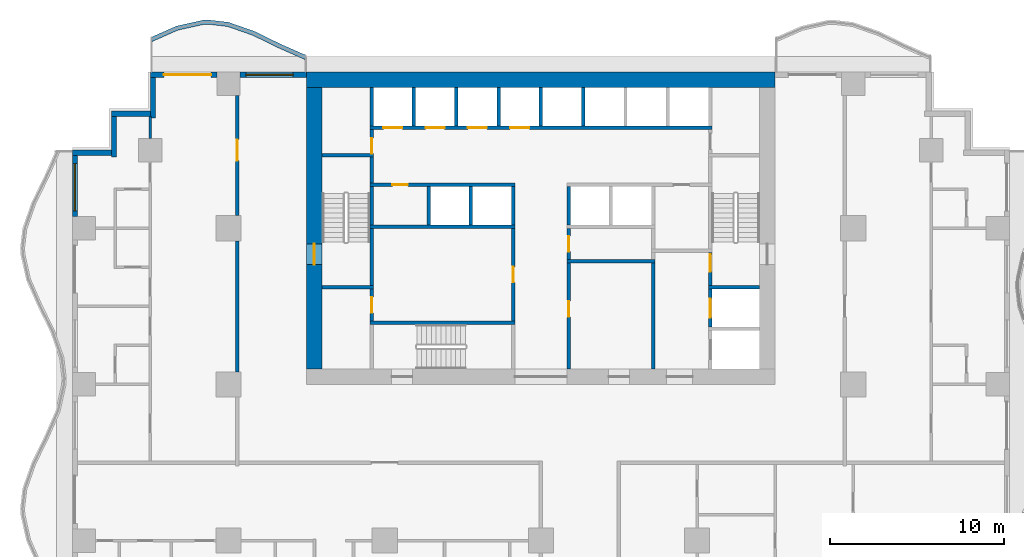
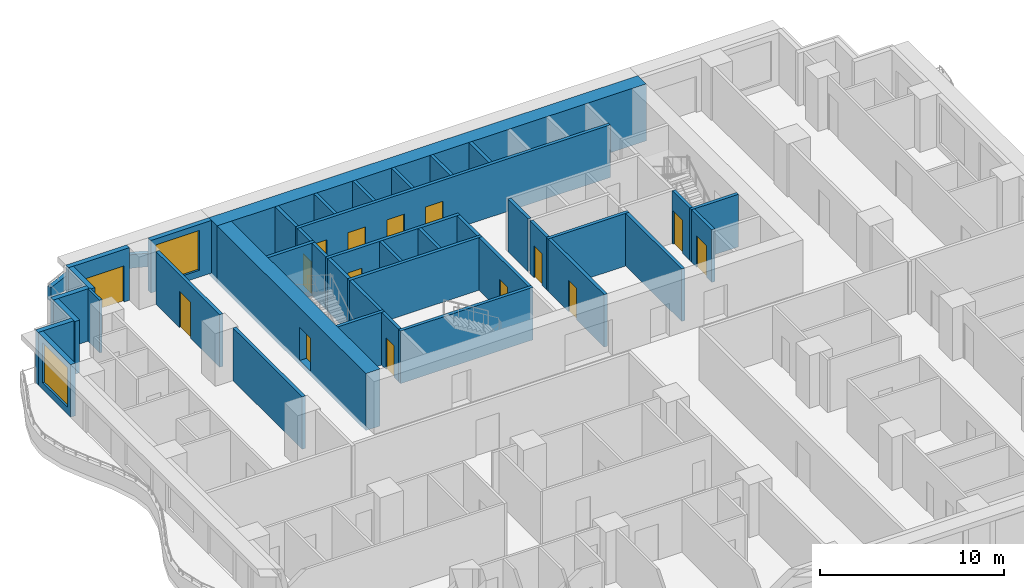
# One storey, part 5 of 14: 42 walls, 15 doors, 2 windows, 17 openings.
"""IFC4 building model written with IfcOpenShell, lengths in metres."""

from ifc_helpers import new_model, si_unit, direction, frame, frame_2d, origin, place, context, subcontext, project, spatial, polyline, rectangle, outline, extrude, material, layer, layer_set, type_object, element, fill, save


model = new_model("IFC4")

# Units and contexts
model_context = context("Model", 3, precision=1e-05, world=origin(), true_north=direction((0.0, 1.0)))
body_context = subcontext(model_context, "Body", "Model", "MODEL_VIEW")
ifc_project = project(units=[si_unit("LENGTHUNIT", "METRE"), si_unit("AREAUNIT", "SQUARE_METRE"), si_unit("VOLUMEUNIT", "CUBIC_METRE"), si_unit("PLANEANGLEUNIT", "RADIAN"), si_unit("MASSUNIT", "GRAM", prefix="KILO")], contexts=[model_context])

# Site, building, storey
site_placement = place(None, origin())
site = spatial("IfcSite", under=ifc_project, at=site_placement, CompositionType="ELEMENT")
building_placement = place(site_placement, origin())
building = spatial("IfcBuilding", under=site, at=building_placement, Name="Orbiselva Terraces", CompositionType="ELEMENT")
storey_placement = place(building_placement, frame((0.0, 0.0, 73.2)))
storey = spatial("IfcBuildingStorey", under=building, at=storey_placement, Name="L18", CompositionType="ELEMENT", Elevation=73.2)

# Wall, opening, door
ifc_material_1 = material(Name="Concrete C80/95", Category="concrete")
ifc_layer_1 = layer(ifc_material_1, 0.9)
ifc_layer_set_1 = layer_set([ifc_layer_1], Name="Concrete C80/95")
wall_type_1 = type_object("IfcWallType", Name="CORE WALL 900", PredefinedType="SHEAR", material=ifc_layer_set_1)
wall_1_placement = place(storey_placement, frame((-13.05, 21.6, -0.3), z_axis=(0.0, 0.0, 1.0), x_axis=(0.0, -1.0, 0.0)))
wall_1 = element("IfcWall", 1, at=wall_1_placement, inside=storey, type_object=wall_type_1, Name="Core wall L18 west", PredefinedType="SHEAR", context=body_context, shape_type="SweptSolid", body=[
    extrude(rectangle(XDim=16.2, YDim=0.9, at=frame_2d((8.1, 0.0))), origin(), (0.0, 0.0, 1.0), 3.8),
])
opening_1_placement = place(wall_1_placement, frame((9.0, 0.0, 0.3)))
opening_1 = element("IfcOpeningElement", 2, at=opening_1_placement, cuts=wall_1, Name="Opening DS1200", PredefinedType="OPENING", context=body_context, shape_type="SweptSolid", body=[
    extrude(rectangle(XDim=1.2, YDim=2.2, at=frame_2d((0.6, 1.1))), frame((0.0, 0.46, 0.0), z_axis=(0.0, -1.0, 0.0), x_axis=(1.0, 0.0, 0.0)), (0.0, 0.0, 1.0), 0.92),
])
ifc_material_2 = material(Name="Steel fire door", Category="steel")
door_type_1 = type_object("IfcDoorType", Name="STAIR DOOR 1200", OperationType="NOTDEFINED", PredefinedType="DOOR", material=ifc_material_2)
door_1_placement = place(opening_1_placement, frame((1.2, 0.0, 0.0), z_axis=(0.0, 0.0, 1.0), x_axis=(-1.0, 0.0, 0.0)))
door_1 = element("IfcDoor", 3, at=door_1_placement, inside=storey, type_object=door_type_1, Name="L18 EXIT STAIR S1 door", OperationType="SINGLE_SWING_RIGHT", OverallHeight=2.2, OverallWidth=1.2, PredefinedType="DOOR", context=body_context, shape_type="SweptSolid", body=[
    extrude(rectangle(XDim=1.2, YDim=2.2, at=frame_2d((0.6, 1.1))), frame((0.0, 0.025, 0.0), z_axis=(0.0, -1.0, 0.0), x_axis=(1.0, 0.0, 0.0)), (0.0, 0.0, 1.0), 0.05),
])
fill(opening_1, door_1)

# Wall
ifc_layer_2 = layer(ifc_material_1, 0.9)
ifc_layer_set_2 = layer_set([ifc_layer_2], Name="Concrete C80/95")
wall_type_2 = type_object("IfcWallType", Name="CORE WALL 900 EXTERNAL", PredefinedType="SHEAR", material=ifc_layer_set_2)
wall_2_placement = place(storey_placement, frame((13.5, 22.05, -0.3), z_axis=(0.0, 0.0, 1.0), x_axis=(-1.0, 0.0, 0.0)))
element("IfcWall", 4, at=wall_2_placement, inside=storey, type_object=wall_type_2, Name="Core wall L18 north", PredefinedType="SHEAR", context=body_context, shape_type="SweptSolid", body=[
    extrude(rectangle(XDim=27.0, YDim=0.9, at=frame_2d((13.5, 0.0))), origin(), (0.0, 0.0, 1.0), 3.8),
])

# Wall, opening, door
ifc_material_3 = material(Name="Masonry blockwork", Category="masonry")
ifc_layer_3 = layer(ifc_material_3, 0.2)
ifc_layer_set_3 = layer_set([ifc_layer_3], Name="Masonry blockwork")
wall_type_3 = type_object("IfcWallType", Name="CORE-WALL-PARTITION-200", PredefinedType="PARTITIONING", material=ifc_layer_set_3)
wall_3_placement = place(storey_placement, frame((-9.75, 8.15, 0.0), z_axis=(0.0, 0.0, 1.0), x_axis=(0.0, 1.0, 0.0)))
wall_3 = element("IfcWall", 5, at=wall_3_placement, inside=storey, type_object=wall_type_3, Name="L18 core wall 05", PredefinedType="PARTITIONING", context=body_context, shape_type="SweptSolid", body=[
    extrude(rectangle(XDim=1.85, YDim=0.2, at=frame_2d((0.925, 0.0))), origin(), (0.0, 0.0, 1.0), 3.5),
])
opening_2_placement = place(wall_3_placement, frame((0.475, 0.0, 0.0)))
opening_2 = element("IfcOpeningElement", 6, at=opening_2_placement, cuts=wall_3, Name="Opening DR900", PredefinedType="OPENING", context=body_context, shape_type="SweptSolid", body=[
    extrude(rectangle(XDim=0.9, YDim=2.1, at=frame_2d((0.45, 1.05))), frame((0.0, 0.11, 0.0), z_axis=(0.0, -1.0, 0.0), x_axis=(1.0, 0.0, 0.0)), (0.0, 0.0, 1.0), 0.22),
])
door_type_2 = type_object("IfcDoorType", Name="ROOM DOOR 900", OperationType="NOTDEFINED", PredefinedType="DOOR", material=ifc_material_2)
door_2_placement = place(opening_2_placement, origin())
door_2 = element("IfcDoor", 7, at=door_2_placement, inside=storey, type_object=door_type_2, Name="L18 ACCESSIBLE WC door", OperationType="SINGLE_SWING_RIGHT", OverallHeight=2.1, OverallWidth=0.9, PredefinedType="DOOR", context=body_context, shape_type="SweptSolid", body=[
    extrude(rectangle(XDim=0.9, YDim=2.1, at=frame_2d((0.45, 1.05))), frame((0.0, 0.025, 0.0), z_axis=(0.0, -1.0, 0.0), x_axis=(1.0, 0.0, 0.0)), (0.0, 0.0, 1.0), 0.05),
])
fill(opening_2, door_2)

wall_4_placement = place(storey_placement, frame((-9.75, 17.8, 0.0), z_axis=(0.0, 0.0, 1.0), x_axis=(0.0, 1.0, 0.0)))
wall_4 = element("IfcWall", 8, at=wall_4_placement, inside=storey, type_object=wall_type_3, Name="L18 core wall 11", PredefinedType="PARTITIONING", context=body_context, shape_type="SweptSolid", body=[
    extrude(rectangle(XDim=1.4, YDim=0.2, at=frame_2d((0.7, 0.0))), origin(), (0.0, 0.0, 1.0), 3.5),
])
opening_3_placement = place(wall_4_placement, origin())
opening_3 = element("IfcOpeningElement", 9, at=opening_3_placement, cuts=wall_4, Name="Opening DR900", PredefinedType="OPENING", context=body_context, shape_type="SweptSolid", body=[
    extrude(rectangle(XDim=0.9, YDim=2.1, at=frame_2d((0.45, 1.05))), frame((0.0, 0.11, 0.0), z_axis=(0.0, -1.0, 0.0), x_axis=(1.0, 0.0, 0.0)), (0.0, 0.0, 1.0), 0.22),
])
door_3_placement = place(opening_3_placement, origin())
door_3 = element("IfcDoor", 10, at=door_3_placement, inside=storey, type_object=door_type_2, Name="L18 COMMS RISER ROOM door", OperationType="SINGLE_SWING_LEFT", OverallHeight=2.1, OverallWidth=0.9, PredefinedType="DOOR", context=body_context, shape_type="SweptSolid", body=[
    extrude(rectangle(XDim=0.9, YDim=2.1, at=frame_2d((0.45, 1.05))), frame((0.0, 0.025, 0.0), z_axis=(0.0, -1.0, 0.0), x_axis=(1.0, 0.0, 0.0)), (0.0, 0.0, 1.0), 0.05),
])
fill(opening_3, door_3)

wall_5_placement = place(storey_placement, frame((1.6, 13.5, 0.0), z_axis=(0.0, 0.0, 1.0), x_axis=(0.0, -1.0, 0.0)))
wall_5 = element("IfcWall", 11, at=wall_5_placement, inside=storey, type_object=wall_type_3, Name="L18 core wall 25", PredefinedType="PARTITIONING", context=body_context, shape_type="SweptSolid", body=[
    extrude(rectangle(XDim=1.8, YDim=0.2, at=frame_2d((0.9, 0.0))), origin(), (0.0, 0.0, 1.0), 3.5),
])
opening_4_placement = place(wall_5_placement, frame((0.45, 0.0, 0.0)))
opening_4 = element("IfcOpeningElement", 12, at=opening_4_placement, cuts=wall_5, Name="Opening DR900", PredefinedType="OPENING", context=body_context, shape_type="SweptSolid", body=[
    extrude(rectangle(XDim=0.9, YDim=2.1, at=frame_2d((0.45, 1.05))), frame((0.0, 0.11, 0.0), z_axis=(0.0, -1.0, 0.0), x_axis=(1.0, 0.0, 0.0)), (0.0, 0.0, 1.0), 0.22),
])
door_4_placement = place(opening_4_placement, origin())
door_4 = element("IfcDoor", 13, at=door_4_placement, inside=storey, type_object=door_type_2, Name="L18 IT ROOM door", OperationType="SINGLE_SWING_LEFT", OverallHeight=2.1, OverallWidth=0.9, PredefinedType="DOOR", context=body_context, shape_type="SweptSolid", body=[
    extrude(rectangle(XDim=0.9, YDim=2.1, at=frame_2d((0.45, 1.05))), frame((0.0, 0.025, 0.0), z_axis=(0.0, -1.0, 0.0), x_axis=(1.0, 0.0, 0.0)), (0.0, 0.0, 1.0), 0.05),
])
fill(opening_4, door_4)

# Walls
ifc_material_4 = material(Name="Concrete C40/50", Category="concrete")
ifc_layer_4 = layer(ifc_material_4, 0.2)
ifc_layer_set_4 = layer_set([ifc_layer_4], Name="Concrete C40/50")
wall_type_4 = type_object("IfcWallType", Name="CORE-WALL-SHAFT-200", PredefinedType="PARTITIONING", material=ifc_layer_set_4)
for number, where, z_axis, x_axis, name in (
    (14, (-9.75, 19.4, 0.0), (0.0, 0.0, 1.0), (0.0, 1.0, 0.0), "L18 core wall 13"),
    (15, (-7.3125, 19.4, 0.0), (0.0, 0.0, 1.0), (0.0, 1.0, 0.0), "L18 core wall 14"),
    (16, (-6.475, 13.7, 0.0), (0.0, 0.0, 1.0), (0.0, 1.0, 0.0), "L18 core wall 15"),
    (17, (-4.875, 19.4, 0.0), (0.0, 0.0, 1.0), (0.0, 1.0, 0.0), "L18 core wall 16"),
    (18, (-4.0375, 13.7, 0.0), (0.0, 0.0, 1.0), (0.0, 1.0, 0.0), "L18 core wall 17"),
    (19, (-2.4375, 19.4, 0.0), (0.0, 0.0, 1.0), (0.0, 1.0, 0.0), "L18 core wall 18"),
    (20, (-1.6, 13.7, 0.0), (0.0, 0.0, 1.0), (0.0, 1.0, 0.0), "L18 core wall 21"),
    (21, (0.0, 19.4, 0.0), (0.0, 0.0, 1.0), (0.0, 1.0, 0.0), "L18 core wall 22"),
    (22, (1.6, 13.7, 0.0), (0.0, 0.0, 1.0), (0.0, 1.0, 0.0), "L18 core wall 27"),
    (23, (2.4375, 19.4, 0.0), (0.0, 0.0, 1.0), (0.0, 1.0, 0.0), "L18 core wall 29"),
):
    element("IfcWall", number, at=place(storey_placement, frame(where, z_axis=z_axis, x_axis=x_axis)), inside=storey, type_object=wall_type_4, Name=name, PredefinedType="PARTITIONING", context=body_context, shape_type="SweptSolid", body=[
        extrude(rectangle(XDim=2.2, YDim=0.2, at=frame_2d((1.1, 0.0))), origin(), (0.0, 0.0, 1.0), 3.5),
    ])
ifc_material_5 = material(Name="Concrete C60/75", Category="concrete")
ifc_layer_5 = layer(ifc_material_5, 0.2)
ifc_layer_set_5 = layer_set([ifc_layer_5], Name="Concrete C60/75")
wall_type_5 = type_object("IfcWallType", Name="CORE-WALL-SHEAR-200", PredefinedType="SHEAR", material=ifc_layer_set_5)
for number, where, z_axis, x_axis, name in (
    (24, (-12.6, 10.1, 0.0), (0.0, 0.0, 1.0), (1.0, 0.0, 0.0), "L18 core wall 01"),
    (25, (-12.6, 17.7, 0.0), (0.0, 0.0, 1.0), (1.0, 0.0, 0.0), "L18 core wall 02"),
):
    element("IfcWall", number, at=place(storey_placement, frame(where, z_axis=z_axis, x_axis=x_axis)), inside=storey, type_object=wall_type_5, Name=name, PredefinedType="SHEAR", context=body_context, shape_type="SweptSolid", body=[
        extrude(rectangle(XDim=2.95, YDim=0.2, at=frame_2d((1.475, 0.0))), origin(), (0.0, 0.0, 1.0), 3.5),
    ])
wall_6_placement = place(storey_placement, frame((-9.85, 8.05, 0.0), z_axis=(0.0, 0.0, 1.0), x_axis=(1.0, 0.0, 0.0)))
element("IfcWall", 26, at=wall_6_placement, inside=storey, type_object=wall_type_5, Name="L18 core wall 04", PredefinedType="SHEAR", context=body_context, shape_type="SweptSolid", body=[
    extrude(rectangle(XDim=8.35, YDim=0.2, at=frame_2d((4.175, 0.0))), origin(), (0.0, 0.0, 1.0), 3.5),
])
wall_7_placement = place(storey_placement, frame((-9.75, 10.2, 0.0), z_axis=(0.0, 0.0, 1.0), x_axis=(0.0, 1.0, 0.0)))
element("IfcWall", 27, at=wall_7_placement, inside=storey, type_object=wall_type_5, Name="L18 core wall 06", PredefinedType="SHEAR", context=body_context, shape_type="SweptSolid", body=[
    extrude(rectangle(XDim=3.3, YDim=0.2, at=frame_2d((1.65, 0.0))), origin(), (0.0, 0.0, 1.0), 3.5),
])
wall_8_placement = place(storey_placement, frame((-9.85, 13.6, 0.0), z_axis=(0.0, 0.0, 1.0), x_axis=(1.0, 0.0, 0.0)))
element("IfcWall", 28, at=wall_8_placement, inside=storey, type_object=wall_type_5, Name="L18 core wall 07", PredefinedType="SHEAR", context=body_context, shape_type="SweptSolid", body=[
    extrude(rectangle(XDim=8.35, YDim=0.2, at=frame_2d((4.175, 0.0))), origin(), (0.0, 0.0, 1.0), 3.5),
])
wall_9_placement = place(storey_placement, frame((-9.75, 13.7, 0.0), z_axis=(0.0, 0.0, 1.0), x_axis=(0.0, 1.0, 0.0)))
element("IfcWall", 29, at=wall_9_placement, inside=storey, type_object=wall_type_5, Name="L18 core wall 08", PredefinedType="SHEAR", context=body_context, shape_type="SweptSolid", body=[
    extrude(rectangle(XDim=2.2, YDim=0.2, at=frame_2d((1.1, 0.0))), origin(), (0.0, 0.0, 1.0), 3.5),
])

# Wall, opening, door
wall_10_placement = place(storey_placement, frame((-1.5, 16.0, 0.0), z_axis=(0.0, 0.0, 1.0), x_axis=(-1.0, 0.0, 0.0)))
wall_10 = element("IfcWall", 30, at=wall_10_placement, inside=storey, type_object=wall_type_5, Name="L18 core wall 09", PredefinedType="SHEAR", context=body_context, shape_type="SweptSolid", body=[
    extrude(rectangle(XDim=8.35, YDim=0.2, at=frame_2d((4.175, 0.0))), origin(), (0.0, 0.0, 1.0), 3.5),
])
opening_5_placement = place(wall_10_placement, frame((6.1625, 0.0, 0.0)))
opening_5 = element("IfcOpeningElement", 31, at=opening_5_placement, cuts=wall_10, Name="Opening DR900", PredefinedType="OPENING", context=body_context, shape_type="SweptSolid", body=[
    extrude(rectangle(XDim=0.9, YDim=2.1, at=frame_2d((0.45, 1.05))), frame((0.0, 0.11, 0.0), z_axis=(0.0, -1.0, 0.0), x_axis=(1.0, 0.0, 0.0)), (0.0, 0.0, 1.0), 0.22),
])
door_5_placement = place(opening_5_placement, origin())
door_5 = element("IfcDoor", 32, at=door_5_placement, inside=storey, type_object=door_type_2, Name="L18 IT ROOM door", OperationType="SINGLE_SWING_RIGHT", OverallHeight=2.1, OverallWidth=0.9, PredefinedType="DOOR", context=body_context, shape_type="SweptSolid", body=[
    extrude(rectangle(XDim=0.9, YDim=2.1, at=frame_2d((0.45, 1.05))), frame((0.0, 0.025, 0.0), z_axis=(0.0, -1.0, 0.0), x_axis=(1.0, 0.0, 0.0)), (0.0, 0.0, 1.0), 0.05),
])
fill(opening_5, door_5)

# Wall
wall_11_placement = place(storey_placement, frame((-9.75, 16.1, 0.0), z_axis=(0.0, 0.0, 1.0), x_axis=(0.0, 1.0, 0.0)))
element("IfcWall", 33, at=wall_11_placement, inside=storey, type_object=wall_type_5, Name="L18 core wall 10", PredefinedType="SHEAR", context=body_context, shape_type="SweptSolid", body=[
    extrude(rectangle(XDim=1.5, YDim=0.2, at=frame_2d((0.75, 0.0))), origin(), (0.0, 0.0, 1.0), 3.5),
])

# Wall, openings, doors
wall_12_placement = place(storey_placement, frame((-9.85, 19.3, 0.0), z_axis=(0.0, 0.0, 1.0), x_axis=(1.0, 0.0, 0.0)))
wall_12 = element("IfcWall", 34, at=wall_12_placement, inside=storey, type_object=wall_type_5, Name="L18 core wall 12", PredefinedType="SHEAR", context=body_context, shape_type="SweptSolid", body=[
    extrude(rectangle(XDim=19.7, YDim=0.2, at=frame_2d((9.85, 0.0))), origin(), (0.0, 0.0, 1.0), 3.5),
])
opening_6_placement = place(wall_12_placement, frame((0.76875, 0.0, 0.0)))
opening_6 = element("IfcOpeningElement", 35, at=opening_6_placement, cuts=wall_12, Name="Opening LD-LR1", PredefinedType="OPENING", context=body_context, shape_type="SweptSolid", body=[
    extrude(rectangle(XDim=1.1, YDim=2.1, at=frame_2d((0.55, 1.05))), frame((0.0, 0.11, 0.0), z_axis=(0.0, -1.0, 0.0), x_axis=(1.0, 0.0, 0.0)), (0.0, 0.0, 1.0), 0.22),
])
opening_7_placement = place(wall_12_placement, frame((3.20625, 0.0, 0.0)))
opening_7 = element("IfcOpeningElement", 36, at=opening_7_placement, cuts=wall_12, Name="Opening LD-LR2", PredefinedType="OPENING", context=body_context, shape_type="SweptSolid", body=[
    extrude(rectangle(XDim=1.1, YDim=2.1, at=frame_2d((0.55, 1.05))), frame((0.0, 0.11, 0.0), z_axis=(0.0, -1.0, 0.0), x_axis=(1.0, 0.0, 0.0)), (0.0, 0.0, 1.0), 0.22),
])
opening_8_placement = place(wall_12_placement, frame((5.64375, 0.0, 0.0)))
opening_8 = element("IfcOpeningElement", 37, at=opening_8_placement, cuts=wall_12, Name="Opening LD-LR3", PredefinedType="OPENING", context=body_context, shape_type="SweptSolid", body=[
    extrude(rectangle(XDim=1.1, YDim=2.1, at=frame_2d((0.55, 1.05))), frame((0.0, 0.11, 0.0), z_axis=(0.0, -1.0, 0.0), x_axis=(1.0, 0.0, 0.0)), (0.0, 0.0, 1.0), 0.22),
])
opening_9_placement = place(wall_12_placement, frame((8.08125, 0.0, 0.0)))
opening_9 = element("IfcOpeningElement", 38, at=opening_9_placement, cuts=wall_12, Name="Opening LD-LR4", PredefinedType="OPENING", context=body_context, shape_type="SweptSolid", body=[
    extrude(rectangle(XDim=1.1, YDim=2.1, at=frame_2d((0.55, 1.05))), frame((0.0, 0.11, 0.0), z_axis=(0.0, -1.0, 0.0), x_axis=(1.0, 0.0, 0.0)), (0.0, 0.0, 1.0), 0.22),
])
ifc_material_6 = material(Name="Stainless steel landing door", Category="steel")
door_type_3 = type_object("IfcDoorType", Name="LANDING DOOR 1100", OperationType="SLIDING_TO_LEFT", PredefinedType="DOOR", material=ifc_material_6)
door_6_placement = place(opening_6_placement, origin())
door_6 = element("IfcDoor", 39, at=door_6_placement, inside=storey, type_object=door_type_3, Name="L18 landing door LR1", OperationType="SLIDING_TO_LEFT", OverallHeight=2.1, OverallWidth=1.1, PredefinedType="DOOR", context=body_context, shape_type="SweptSolid", body=[
    extrude(rectangle(XDim=1.1, YDim=2.1, at=frame_2d((0.55, 1.05))), frame((0.0, 0.025, 0.0), z_axis=(0.0, -1.0, 0.0), x_axis=(1.0, 0.0, 0.0)), (0.0, 0.0, 1.0), 0.05),
])
fill(opening_6, door_6)
door_7_placement = place(opening_7_placement, origin())
door_7 = element("IfcDoor", 40, at=door_7_placement, inside=storey, type_object=door_type_3, Name="L18 landing door LR2", OperationType="SLIDING_TO_LEFT", OverallHeight=2.1, OverallWidth=1.1, PredefinedType="DOOR", context=body_context, shape_type="SweptSolid", body=[
    extrude(rectangle(XDim=1.1, YDim=2.1, at=frame_2d((0.55, 1.05))), frame((0.0, 0.025, 0.0), z_axis=(0.0, -1.0, 0.0), x_axis=(1.0, 0.0, 0.0)), (0.0, 0.0, 1.0), 0.05),
])
fill(opening_7, door_7)
door_8_placement = place(opening_8_placement, origin())
door_8 = element("IfcDoor", 41, at=door_8_placement, inside=storey, type_object=door_type_3, Name="L18 landing door LR3", OperationType="SLIDING_TO_LEFT", OverallHeight=2.1, OverallWidth=1.1, PredefinedType="DOOR", context=body_context, shape_type="SweptSolid", body=[
    extrude(rectangle(XDim=1.1, YDim=2.1, at=frame_2d((0.55, 1.05))), frame((0.0, 0.025, 0.0), z_axis=(0.0, -1.0, 0.0), x_axis=(1.0, 0.0, 0.0)), (0.0, 0.0, 1.0), 0.05),
])
fill(opening_8, door_8)
door_9_placement = place(opening_9_placement, origin())
door_9 = element("IfcDoor", 42, at=door_9_placement, inside=storey, type_object=door_type_3, Name="L18 landing door LR4", OperationType="SLIDING_TO_LEFT", OverallHeight=2.1, OverallWidth=1.1, PredefinedType="DOOR", context=body_context, shape_type="SweptSolid", body=[
    extrude(rectangle(XDim=1.1, YDim=2.1, at=frame_2d((0.55, 1.05))), frame((0.0, 0.025, 0.0), z_axis=(0.0, -1.0, 0.0), x_axis=(1.0, 0.0, 0.0)), (0.0, 0.0, 1.0), 0.05),
])
fill(opening_9, door_9)

# Wall, opening, door
wall_13_placement = place(storey_placement, frame((-1.6, 8.15, 0.0), z_axis=(0.0, 0.0, 1.0), x_axis=(0.0, 1.0, 0.0)))
wall_13 = element("IfcWall", 43, at=wall_13_placement, inside=storey, type_object=wall_type_5, Name="L18 core wall 20", PredefinedType="SHEAR", context=body_context, shape_type="SweptSolid", body=[
    extrude(rectangle(XDim=5.35, YDim=0.2, at=frame_2d((2.675, 0.0))), origin(), (0.0, 0.0, 1.0), 3.5),
])
opening_10_placement = place(wall_13_placement, frame((2.225, 0.0, 0.0)))
opening_10 = element("IfcOpeningElement", 44, at=opening_10_placement, cuts=wall_13, Name="Opening DR900", PredefinedType="OPENING", context=body_context, shape_type="SweptSolid", body=[
    extrude(rectangle(XDim=0.9, YDim=2.1, at=frame_2d((0.45, 1.05))), frame((0.0, 0.11, 0.0), z_axis=(0.0, -1.0, 0.0), x_axis=(1.0, 0.0, 0.0)), (0.0, 0.0, 1.0), 0.22),
])
door_10_placement = place(opening_10_placement, origin())
door_10 = element("IfcDoor", 45, at=door_10_placement, inside=storey, type_object=door_type_2, Name="L18 LINEN STORE door", OperationType="SINGLE_SWING_RIGHT", OverallHeight=2.1, OverallWidth=0.9, PredefinedType="DOOR", context=body_context, shape_type="SweptSolid", body=[
    extrude(rectangle(XDim=0.9, YDim=2.1, at=frame_2d((0.45, 1.05))), frame((0.0, 0.025, 0.0), z_axis=(0.0, -1.0, 0.0), x_axis=(1.0, 0.0, 0.0)), (0.0, 0.0, 1.0), 0.05),
])
fill(opening_10, door_10)

wall_14_placement = place(storey_placement, frame((1.6, 11.5, 0.0), z_axis=(0.0, 0.0, 1.0), x_axis=(0.0, -1.0, 0.0)))
wall_14 = element("IfcWall", 46, at=wall_14_placement, inside=storey, type_object=wall_type_5, Name="L18 core wall 23", PredefinedType="SHEAR", context=body_context, shape_type="SweptSolid", body=[
    extrude(rectangle(XDim=6.1, YDim=0.2, at=frame_2d((3.05, 0.0))), origin(), (0.0, 0.0, 1.0), 3.5),
])
opening_11_placement = place(wall_14_placement, frame((2.2, 0.0, 0.0)))
opening_11 = element("IfcOpeningElement", 47, at=opening_11_placement, cuts=wall_14, Name="Opening DR900", PredefinedType="OPENING", context=body_context, shape_type="SweptSolid", body=[
    extrude(rectangle(XDim=0.9, YDim=2.1, at=frame_2d((0.45, 1.05))), frame((0.0, 0.11, 0.0), z_axis=(0.0, -1.0, 0.0), x_axis=(1.0, 0.0, 0.0)), (0.0, 0.0, 1.0), 0.22),
])
door_11_placement = place(opening_11_placement, origin())
door_11 = element("IfcDoor", 48, at=door_11_placement, inside=storey, type_object=door_type_2, Name="L18 SERVICE ROOM door", OperationType="SINGLE_SWING_LEFT", OverallHeight=2.1, OverallWidth=0.9, PredefinedType="DOOR", context=body_context, shape_type="SweptSolid", body=[
    extrude(rectangle(XDim=0.9, YDim=2.1, at=frame_2d((0.45, 1.05))), frame((0.0, 0.025, 0.0), z_axis=(0.0, -1.0, 0.0), x_axis=(1.0, 0.0, 0.0)), (0.0, 0.0, 1.0), 0.05),
])
fill(opening_11, door_11)

# Walls
wall_15_placement = place(storey_placement, frame((1.5, 11.6, 0.0), z_axis=(0.0, 0.0, 1.0), x_axis=(1.0, 0.0, 0.0)))
element("IfcWall", 49, at=wall_15_placement, inside=storey, type_object=wall_type_5, Name="L18 core wall 24", PredefinedType="SHEAR", context=body_context, shape_type="SweptSolid", body=[
    extrude(rectangle(XDim=5.075, YDim=0.2, at=frame_2d((2.5375, 0.0))), origin(), (0.0, 0.0, 1.0), 3.5),
])
wall_16_placement = place(storey_placement, frame((6.475, 5.4, 0.0), z_axis=(0.0, 0.0, 1.0), x_axis=(0.0, 1.0, 0.0)))
element("IfcWall", 50, at=wall_16_placement, inside=storey, type_object=wall_type_5, Name="L18 core wall 32", PredefinedType="SHEAR", context=body_context, shape_type="SweptSolid", body=[
    extrude(rectangle(XDim=6.1, YDim=0.2, at=frame_2d((3.05, 0.0))), origin(), (0.0, 0.0, 1.0), 3.5),
])

# Wall, opening, door
wall_17_placement = place(storey_placement, frame((9.75, 7.8, 0.0), z_axis=(0.0, 0.0, 1.0), x_axis=(0.0, 1.0, 0.0)))
wall_17 = element("IfcWall", 51, at=wall_17_placement, inside=storey, type_object=wall_type_5, Name="L18 core wall 40", PredefinedType="SHEAR", context=body_context, shape_type="SweptSolid", body=[
    extrude(rectangle(XDim=2.2, YDim=0.2, at=frame_2d((1.1, 0.0))), origin(), (0.0, 0.0, 1.0), 3.5),
])
opening_12_placement = place(wall_17_placement, frame((0.55, 0.0, 0.0)))
opening_12 = element("IfcOpeningElement", 52, at=opening_12_placement, cuts=wall_17, Name="Opening LD-FF2", PredefinedType="OPENING", context=body_context, shape_type="SweptSolid", body=[
    extrude(rectangle(XDim=1.1, YDim=2.1, at=frame_2d((0.55, 1.05))), frame((0.0, 0.11, 0.0), z_axis=(0.0, -1.0, 0.0), x_axis=(1.0, 0.0, 0.0)), (0.0, 0.0, 1.0), 0.22),
])
door_12_placement = place(opening_12_placement, origin())
door_12 = element("IfcDoor", 53, at=door_12_placement, inside=storey, type_object=door_type_3, Name="L18 landing door FF2", OperationType="SLIDING_TO_RIGHT", OverallHeight=2.1, OverallWidth=1.1, PredefinedType="DOOR", context=body_context, shape_type="SweptSolid", body=[
    extrude(rectangle(XDim=1.1, YDim=2.1, at=frame_2d((0.55, 1.05))), frame((0.0, 0.025, 0.0), z_axis=(0.0, -1.0, 0.0), x_axis=(1.0, 0.0, 0.0)), (0.0, 0.0, 1.0), 0.05),
])
fill(opening_12, door_12)

# Wall
wall_18_placement = place(storey_placement, frame((9.65, 10.1, 0.0), z_axis=(0.0, 0.0, 1.0), x_axis=(1.0, 0.0, 0.0)))
element("IfcWall", 54, at=wall_18_placement, inside=storey, type_object=wall_type_5, Name="L18 core wall 41", PredefinedType="SHEAR", context=body_context, shape_type="SweptSolid", body=[
    extrude(rectangle(XDim=2.95, YDim=0.2, at=frame_2d((1.475, 0.0))), origin(), (0.0, 0.0, 1.0), 3.5),
])

# Wall, opening, door
wall_19_placement = place(storey_placement, frame((9.75, 12.1, 0.0), z_axis=(0.0, 0.0, 1.0), x_axis=(0.0, -1.0, 0.0)))
wall_19 = element("IfcWall", 55, at=wall_19_placement, inside=storey, type_object=wall_type_5, Name="L18 core wall 42", PredefinedType="SHEAR", context=body_context, shape_type="SweptSolid", body=[
    extrude(rectangle(XDim=1.9, YDim=0.2, at=frame_2d((0.95, 0.0))), origin(), (0.0, 0.0, 1.0), 3.5),
])
opening_13_placement = place(wall_19_placement, frame((0.1, 0.0, 0.0)))
opening_13 = element("IfcOpeningElement", 56, at=opening_13_placement, cuts=wall_19, Name="Opening DS1000", PredefinedType="OPENING", context=body_context, shape_type="SweptSolid", body=[
    extrude(rectangle(XDim=1.0, YDim=2.2, at=frame_2d((0.5, 1.1))), frame((0.0, 0.11, 0.0), z_axis=(0.0, -1.0, 0.0), x_axis=(1.0, 0.0, 0.0)), (0.0, 0.0, 1.0), 0.22),
])
door_type_4 = type_object("IfcDoorType", Name="STAIR DOOR 1000", OperationType="NOTDEFINED", PredefinedType="DOOR", material=ifc_material_2)
door_13_placement = place(opening_13_placement, origin())
door_13 = element("IfcDoor", 57, at=door_13_placement, inside=storey, type_object=door_type_4, Name="L18 FIRE-FIGHTING LOBBY TO EXIT STAIR S2 door", OperationType="SINGLE_SWING_LEFT", OverallHeight=2.2, OverallWidth=1.0, PredefinedType="DOOR", context=body_context, shape_type="SweptSolid", body=[
    extrude(rectangle(XDim=1.0, YDim=2.2, at=frame_2d((0.5, 1.1))), frame((0.0, 0.025, 0.0), z_axis=(0.0, -1.0, 0.0), x_axis=(1.0, 0.0, 0.0)), (0.0, 0.0, 1.0), 0.05),
])
fill(opening_13, door_13)

# Wall
ifc_layer_6 = layer(ifc_material_4, 0.25)
ifc_layer_set_6 = layer_set([ifc_layer_6], Name="Concrete C40/50")
wall_type_6 = type_object("IfcWallType", Name="ENV-PLANTER-250x900", PredefinedType="USERDEFINED", material=ifc_layer_set_6)
wall_20_placement = place(storey_placement, origin())
element("IfcWall", 58, at=wall_20_placement, inside=storey, type_object=wall_type_6, Name="Balcony planter L18 NW", ObjectType="PLANTER", PredefinedType="USERDEFINED", context=body_context, shape_type="SweptSolid", body=[
    extrude(outline(polyline([(-13.5, 23.451472), (-15.0, 24.112279), (-16.5, 24.844789), (-18.0, 25.369208), (-19.125, 25.5), (-19.5, 25.485226), (-21.0, 25.148528), (-22.5, 24.487721), (-22.399212, 24.258938), (-20.921492, 24.90993), (-19.467435, 25.236315), (-19.134572, 25.249429), (-18.056371, 25.124078), (-16.59644, 24.613667), (-15.105286, 23.885477), (-13.600788, 23.222689), (-13.5, 23.451472)])), origin(), (0.0, 0.0, 1.0), 0.9),
])

# Wall, opening, window
ifc_material_7 = material(Name="Terracotta cladding on masonry backing", Category="masonry")
ifc_layer_7 = layer(ifc_material_7, 0.3)
ifc_layer_set_7 = layer_set([ifc_layer_7], Name="Terracotta cladding on masonry backing")
wall_type_7 = type_object("IfcWallType", Name="ENV-WALL-TERRACOTTA-300", PredefinedType="SOLIDWALL", material=ifc_layer_set_7)
wall_21_placement = place(storey_placement, frame((-17.325, 22.35, 0.0), z_axis=(0.0, 0.0, 1.0), x_axis=(1.0, 0.0, 0.0)))
wall_21 = element("IfcWall", 59, at=wall_21_placement, inside=storey, type_object=wall_type_7, Name="Facade wall L18 NW", PredefinedType="SOLIDWALL", context=body_context, shape_type="SweptSolid", body=[
    extrude(rectangle(XDim=3.825, YDim=0.3, at=frame_2d((1.9125, 0.0))), origin(), (0.0, 0.0, 1.0), 3.5),
])
opening_14_placement = place(wall_21_placement, frame((0.325, 0.0, 0.45)))
opening_14 = element("IfcOpeningElement", 60, at=opening_14_placement, cuts=wall_21, Name="Opening WN5", PredefinedType="OPENING", context=body_context, shape_type="SweptSolid", body=[
    extrude(rectangle(XDim=2.725, YDim=2.65, at=frame_2d((1.3625, 1.325))), frame((0.0, 0.16, 0.0), z_axis=(0.0, -1.0, 0.0), x_axis=(1.0, 0.0, 0.0)), (0.0, 0.0, 1.0), 0.32),
])
ifc_material_8 = material(Name="Clear low-e glazing in aluminium frame", Category="aluminium")
window_type = type_object("IfcWindowType", Name="WINDOW 2725 X 2650 S450", PartitioningType="TRIPLE_PANEL_VERTICAL", PredefinedType="WINDOW", material=ifc_material_8)
window_1_placement = place(opening_14_placement, origin())
window_1 = element("IfcWindow", 61, at=window_1_placement, inside=storey, type_object=window_type, Name="Window L18 NW", OverallHeight=2.65, OverallWidth=2.725, PartitioningType="SINGLE_PANEL", PredefinedType="WINDOW", context=body_context, shape_type="SweptSolid", body=[
    extrude(rectangle(XDim=2.725, YDim=2.65, at=frame_2d((1.3625, 1.325))), frame((0.0, 0.03, 0.0), z_axis=(0.0, -1.0, 0.0), x_axis=(1.0, 0.0, 0.0)), (0.0, 0.0, 1.0), 0.06),
])
fill(opening_14, window_1)

# Wall, opening, door
wall_22_placement = place(storey_placement, frame((-22.5, 22.35, 0.0), z_axis=(0.0, 0.0, 1.0), x_axis=(1.0, 0.0, 0.0)))
wall_22 = element("IfcWall", 62, at=wall_22_placement, inside=storey, type_object=wall_type_7, Name="Facade wall L18 NW", PredefinedType="SOLIDWALL", context=body_context, shape_type="SweptSolid", body=[
    extrude(rectangle(XDim=3.825, YDim=0.3, at=frame_2d((1.9125, 0.0))), origin(), (0.0, 0.0, 1.0), 3.5),
])
opening_15_placement = place(wall_22_placement, frame((0.775, 0.0, 0.0)))
opening_15 = element("IfcOpeningElement", 63, at=opening_15_placement, cuts=wall_22, Name="Opening Z2-A-E09", PredefinedType="OPENING", context=body_context, shape_type="SweptSolid", body=[
    extrude(rectangle(XDim=2.725, YDim=2.4, at=frame_2d((1.3625, 1.2))), frame((0.0, 0.16, 0.0), z_axis=(0.0, -1.0, 0.0), x_axis=(1.0, 0.0, 0.0)), (0.0, 0.0, 1.0), 0.32),
])
door_type_5 = type_object("IfcDoorType", Name="BALCONY DOOR 2725 X 2400", OperationType="DOUBLE_DOOR_SLIDING", PredefinedType="DOOR", material=ifc_material_8)
door_14_placement = place(opening_15_placement, origin())
door_14 = element("IfcDoor", 64, at=door_14_placement, inside=storey, type_object=door_type_5, Name="Z2-A-E09", OperationType="SINGLE_SWING_LEFT", OverallHeight=2.4, OverallWidth=2.725, PredefinedType="DOOR", context=body_context, shape_type="SweptSolid", body=[
    extrude(rectangle(XDim=2.725, YDim=2.4, at=frame_2d((1.3625, 1.2))), frame((0.0, 0.025, 0.0), z_axis=(0.0, -1.0, 0.0), x_axis=(1.0, 0.0, 0.0)), (0.0, 0.0, 1.0), 0.05),
])
fill(opening_15, door_14)

# Walls
wall_23_placement = place(storey_placement, frame((-22.35, 19.85, 0.0), z_axis=(0.0, 0.0, 1.0), x_axis=(0.0, 1.0, 0.0)))
element("IfcWall", 65, at=wall_23_placement, inside=storey, type_object=wall_type_7, Name="Facade wall L18 STEP", PredefinedType="SOLIDWALL", context=body_context, shape_type="SweptSolid", body=[
    extrude(rectangle(XDim=2.35, YDim=0.3, at=frame_2d((1.175, 0.0))), origin(), (0.0, 0.0, 1.0), 3.5),
])
wall_24_placement = place(storey_placement, frame((-24.75, 20.1, 0.0), z_axis=(0.0, 0.0, 1.0), x_axis=(1.0, 0.0, 0.0)))
element("IfcWall", 66, at=wall_24_placement, inside=storey, type_object=wall_type_7, Name="Facade wall L18 STEP", PredefinedType="SOLIDWALL", context=body_context, shape_type="SweptSolid", body=[
    extrude(rectangle(XDim=2.25, YDim=0.3, at=frame_2d((1.125, 0.0))), origin(), (0.0, 0.0, 1.0), 3.5),
])
wall_25_placement = place(storey_placement, frame((-24.6, 17.6, 0.0), z_axis=(0.0, 0.0, 1.0), x_axis=(0.0, 1.0, 0.0)))
element("IfcWall", 67, at=wall_25_placement, inside=storey, type_object=wall_type_7, Name="Facade wall L18 STEP", PredefinedType="SOLIDWALL", context=body_context, shape_type="SweptSolid", body=[
    extrude(rectangle(XDim=2.35, YDim=0.3, at=frame_2d((1.175, 0.0))), origin(), (0.0, 0.0, 1.0), 3.5),
])
wall_26_placement = place(storey_placement, frame((-27.0, 17.85, 0.0), z_axis=(0.0, 0.0, 1.0), x_axis=(1.0, 0.0, 0.0)))
element("IfcWall", 68, at=wall_26_placement, inside=storey, type_object=wall_type_7, Name="Facade wall L18 STEP", PredefinedType="SOLIDWALL", context=body_context, shape_type="SweptSolid", body=[
    extrude(rectangle(XDim=2.25, YDim=0.3, at=frame_2d((1.125, 0.0))), origin(), (0.0, 0.0, 1.0), 3.5),
])

# Wall, opening, window
wall_27_placement = place(storey_placement, frame((-26.85, 14.175, 0.0), z_axis=(0.0, 0.0, 1.0), x_axis=(0.0, 1.0, 0.0)))
wall_27 = element("IfcWall", 69, at=wall_27_placement, inside=storey, type_object=wall_type_7, Name="Facade wall L18 W", PredefinedType="SOLIDWALL", context=body_context, shape_type="SweptSolid", body=[
    extrude(rectangle(XDim=3.525, YDim=0.3, at=frame_2d((1.7625, 0.0))), origin(), (0.0, 0.0, 1.0), 3.5),
])
opening_16_placement = place(wall_27_placement, frame((0.325, 0.0, 0.45)))
opening_16 = element("IfcOpeningElement", 70, at=opening_16_placement, cuts=wall_27, Name="Opening WN5", PredefinedType="OPENING", context=body_context, shape_type="SweptSolid", body=[
    extrude(rectangle(XDim=2.725, YDim=2.65, at=frame_2d((1.3625, 1.325))), frame((0.0, 0.16, 0.0), z_axis=(0.0, -1.0, 0.0), x_axis=(1.0, 0.0, 0.0)), (0.0, 0.0, 1.0), 0.32),
])
window_2_placement = place(opening_16_placement, origin())
window_2 = element("IfcWindow", 71, at=window_2_placement, inside=storey, type_object=window_type, Name="Window L18 W", OverallHeight=2.65, OverallWidth=2.725, PartitioningType="SINGLE_PANEL", PredefinedType="WINDOW", context=body_context, shape_type="SweptSolid", body=[
    extrude(rectangle(XDim=2.725, YDim=2.65, at=frame_2d((1.3625, 1.325))), frame((0.0, 0.03, 0.0), z_axis=(0.0, -1.0, 0.0), x_axis=(1.0, 0.0, 0.0)), (0.0, 0.0, 1.0), 0.06),
])
fill(opening_16, window_2)

# Wall
ifc_material_9 = material(Name="Plasterboard on steel stud partition", Category="steel")
ifc_layer_8 = layer(ifc_material_9, 0.2)
ifc_layer_set_8 = layer_set([ifc_layer_8], Name="Plasterboard on steel stud partition")
wall_type_8 = type_object("IfcWallType", Name="UNIT-ENTRANCE-WALL-200", PredefinedType="PARTITIONING", material=ifc_layer_set_8)
wall_28_placement = place(storey_placement, frame((-17.5, 5.225, 0.0), z_axis=(0.0, 0.0, 1.0), x_axis=(0.0, 1.0, 0.0)))
element("IfcWall", 72, at=wall_28_placement, inside=storey, type_object=wall_type_8, Name="PARTITION L18-052", PredefinedType="PARTITIONING", context=body_context, shape_type="SweptSolid", body=[
    extrude(rectangle(XDim=7.55, YDim=0.2, at=frame_2d((3.775, 0.0))), origin(), (0.0, 0.0, 1.0), 3.5),
])

# Wall, opening, door
wall_29_placement = place(storey_placement, frame((-17.5, 14.225, 0.0), z_axis=(0.0, 0.0, 1.0), x_axis=(0.0, 1.0, 0.0)))
wall_29 = element("IfcWall", 73, at=wall_29_placement, inside=storey, type_object=wall_type_8, Name="PARTITION L18-053", PredefinedType="PARTITIONING", context=body_context, shape_type="SweptSolid", body=[
    extrude(rectangle(XDim=6.925, YDim=0.2, at=frame_2d((3.4625, 0.0))), origin(), (0.0, 0.0, 1.0), 3.5),
])
opening_17_placement = place(wall_29_placement, frame((3.175, 0.0, 0.0)))
opening_17 = element("IfcOpeningElement", 74, at=opening_17_placement, cuts=wall_29, Name="Opening Z2-A-01", PredefinedType="OPENING", context=body_context, shape_type="SweptSolid", body=[
    extrude(rectangle(XDim=1.2, YDim=2.4, at=frame_2d((0.6, 1.2))), frame((0.0, 0.11, 0.0), z_axis=(0.0, -1.0, 0.0), x_axis=(1.0, 0.0, 0.0)), (0.0, 0.0, 1.0), 0.22),
])
ifc_material_10 = material(Name="Painted timber door leaf", Category="wood")
door_type_6 = type_object("IfcDoorType", Name="ENTRANCE DOOR 1200", OperationType="NOTDEFINED", PredefinedType="DOOR", material=ifc_material_10)
door_15_placement = place(opening_17_placement, origin())
door_15 = element("IfcDoor", 75, at=door_15_placement, inside=storey, type_object=door_type_6, Name="Z2-A-01", OperationType="SINGLE_SWING_RIGHT", OverallHeight=2.4, OverallWidth=1.2, PredefinedType="DOOR", context=body_context, shape_type="SweptSolid", body=[
    extrude(rectangle(XDim=1.2, YDim=2.4, at=frame_2d((0.6, 1.2))), frame((0.0, 0.025, 0.0), z_axis=(0.0, -1.0, 0.0), x_axis=(1.0, 0.0, 0.0)), (0.0, 0.0, 1.0), 0.05),
])
fill(opening_17, door_15)

# Wall
ifc_layer_9 = layer(ifc_material_9, 0.15)
ifc_layer_set_9 = layer_set([ifc_layer_9], Name="Plasterboard on steel stud partition")
wall_type_9 = type_object("IfcWallType", Name="UNIT-PARTITION-150", PredefinedType="PARTITIONING", material=ifc_layer_set_9)
wall_30_placement = place(storey_placement, frame((-22.5, 18.675, 0.0), z_axis=(0.0, 0.0, 1.0), x_axis=(0.0, 1.0, 0.0)))
element("IfcWall", 76, at=wall_30_placement, inside=storey, type_object=wall_type_9, Name="PARTITION L18-047", PredefinedType="PARTITIONING", context=body_context, shape_type="SweptSolid", body=[
    extrude(rectangle(XDim=1.275, YDim=0.15, at=frame_2d((0.6375, 0.0))), origin(), (0.0, 0.0, 1.0), 3.5),
])

save(model, "model.ifc")
